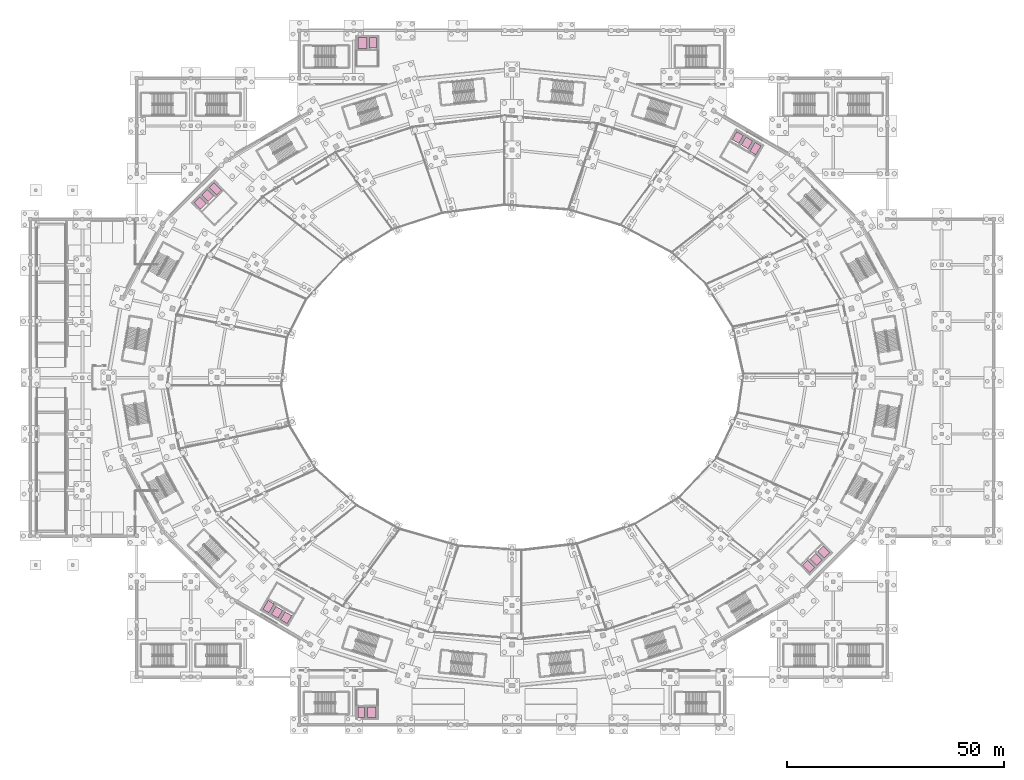
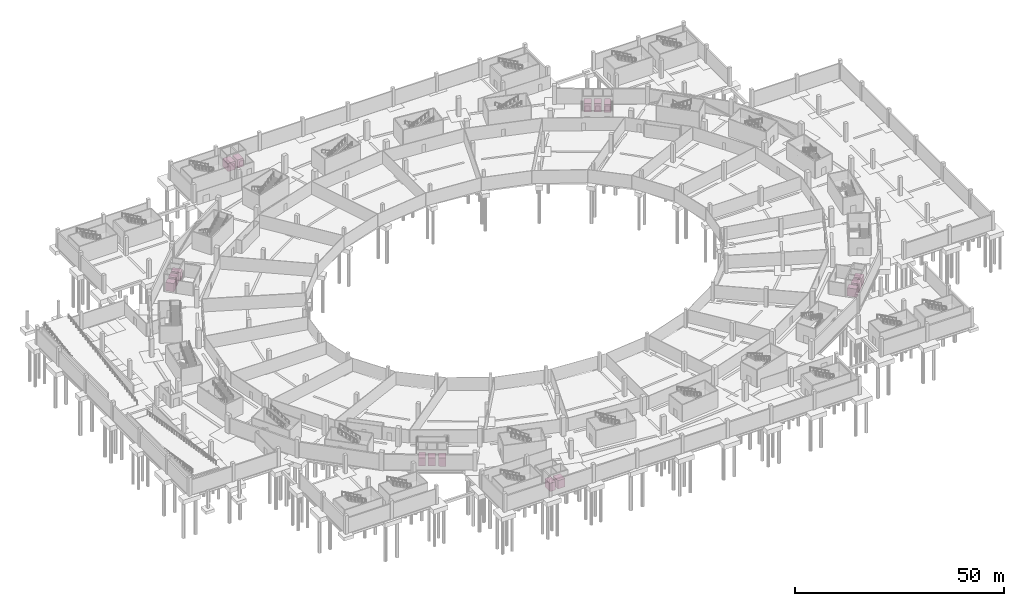
# One storey, part 74 of 74: 16 transport elements.
"""IFC4 building model written with IfcOpenShell, lengths in metres."""

import ifcopenshell
import ifcopenshell.guid

model = None  # the IFC model being written
_history = None  # IfcOwnerHistory: only IFC2X3 demands one
_inside = {}  # id of a spatial element -> (the spatial element, [elements in it])
_under = {}  # id of a project, library or spatial element -> (it, [spatial elements below it])
_declared = {}  # id of a project -> (the project, [libraries it declares])
_typed = {}  # id of a type object -> (the type object, [elements of that type])
_made_of = {}  # id of a material, layer set ... -> (it, [elements and type objects made of it])


def new_model(schema):
    """Start an empty IFC model of exactly this schema.

    Asked for "IFC4X3", IfcOpenShell would pick the latest addendum, in which some entities
    have other attributes; the version numbers below select the first issue.
    IFC2X3 requires an IfcOwnerHistory on every rooted entity: one is made here for all.
    """
    global model, _history
    if schema == "IFC4X3":
        model = ifcopenshell.file(schema_version=(4, 3, 0, 0))
    else:
        model = ifcopenshell.file(schema=schema)
    _inside.clear()
    _under.clear()
    _declared.clear()
    _typed.clear()
    _made_of.clear()
    _history = None
    if model.schema == "IFC2X3":
        org = make("IfcOrganization", Name="unknown")
        user = make(
            "IfcPersonAndOrganization",
            ThePerson=make("IfcPerson", FamilyName="unknown"),
            TheOrganization=org,
        )
        app = make(
            "IfcApplication",
            ApplicationDeveloper=org,
            Version="unknown",
            ApplicationFullName="unknown",
            ApplicationIdentifier="unknown",
        )
        _history = make(
            "IfcOwnerHistory",
            OwningUser=user,
            OwningApplication=app,
            ChangeAction="ADDED",
            CreationDate=0,
        )
    return model


def make(cls, **values):
    """One entity of the class cls with the attributes given. An attribute that is None is left unset."""
    return model.create_entity(
        cls, **{name: value for name, value in values.items() if value is not None}
    )


def rooted(cls, **values):
    """An entity with a GlobalId (a new one), such as an element, a storey or a relation."""
    return make(cls, GlobalId=ifcopenshell.guid.new(), OwnerHistory=_history, **values)


def si_unit(unit_type, name, prefix=None):
    """IfcSIUnit, for example si_unit("LENGTHUNIT", "METRE", prefix="MILLI")."""
    return make("IfcSIUnit", UnitType=unit_type, Prefix=prefix, Name=name)


def assignment(units):
    """IfcUnitAssignment: the units of a project."""
    return None if units is None else make("IfcUnitAssignment", Units=units)


def point(xyz):
    """IfcCartesianPoint."""
    return None if xyz is None else make("IfcCartesianPoint", Coordinates=xyz)


def direction(xyz):
    """IfcDirection."""
    return None if xyz is None else make("IfcDirection", DirectionRatios=xyz)


def frame(location, z_axis=None, x_axis=None):
    """IfcAxis2Placement3D, a coordinate frame: its origin and axes. An axis left out is left unset."""
    return make(
        "IfcAxis2Placement3D",
        Location=point(location),
        Axis=direction(z_axis),
        RefDirection=direction(x_axis),
    )


def frame_2d(location, x_axis=None):
    """IfcAxis2Placement2D, a coordinate frame in the plane: its origin and x axis."""
    return make(
        "IfcAxis2Placement2D", Location=point(location), RefDirection=direction(x_axis)
    )


def origin():
    """The frame at (0, 0, 0) with its axes left unset."""
    return frame((0.0, 0.0, 0.0))


def origin_2d():
    """The frame at (0, 0) in the plane with its x axis left unset."""
    return frame_2d((0.0, 0.0))


def place(relative_to, where):
    """IfcLocalPlacement: puts the frame where relative to a parent placement (None: the world)."""
    return make(
        "IfcLocalPlacement", PlacementRelTo=relative_to, RelativePlacement=where
    )


def context(
    kind, dimensions, precision=None, world=None, true_north=None, identifier=None
):
    """IfcGeometricRepresentationContext, for example the 3D "Model" context."""
    return make(
        "IfcGeometricRepresentationContext",
        ContextIdentifier=identifier,
        ContextType=kind,
        CoordinateSpaceDimension=dimensions,
        Precision=precision,
        WorldCoordinateSystem=world,
        TrueNorth=true_north,
    )


def subcontext(parent, identifier, kind, view, scale=None):
    """IfcGeometricRepresentationSubContext, for example "Body" below "Model"."""
    return make(
        "IfcGeometricRepresentationSubContext",
        ContextIdentifier=identifier,
        ContextType=kind,
        ParentContext=parent,
        TargetScale=scale,
        TargetView=view,
    )


def project(units=None, contexts=None):
    """IfcProject with its units and contexts."""
    return rooted(
        "IfcProject",
        Name="project",
        RepresentationContexts=contexts,
        UnitsInContext=assignment(units),
    )


def spatial(cls, under=None, at=None, **own):
    """A site, building, storey or space (cls), placed at a placement, below another one or the project."""
    s = rooted(cls, ObjectPlacement=at, **own)
    if under is not None:
        _under.setdefault(under.id(), (under, []))[1].append(s)
    return s


def profile(cls, at=None, kind="AREA", **sizes):
    """A parametric profile (cls). Its sizes go by their IFC names, for example OverallWidth=200.0."""
    return make(cls, ProfileType=kind, Position=at, **sizes)


def rectangle(**sizes):
    """IfcRectangleProfileDef."""
    return profile("IfcRectangleProfileDef", **sizes)


def extrude(swept, where, along, depth):
    """IfcExtrudedAreaSolid: the profile swept, set in the frame where, extruded along a direction by depth."""
    return make(
        "IfcExtrudedAreaSolid",
        SweptArea=swept,
        Position=where,
        ExtrudedDirection=direction(along),
        Depth=depth,
    )


def shape(context_of_items, identifier, shape_type, items):
    """IfcShapeRepresentation: the items that make up one representation, for example the "Body"."""
    return make(
        "IfcShapeRepresentation",
        ContextOfItems=context_of_items,
        RepresentationIdentifier=identifier,
        RepresentationType=shape_type,
        Items=items,
    )


def material(Name=None, Category=None):
    """IfcMaterial."""
    return make("IfcMaterial", Name=Name, Category=Category)


def made_of(thing, what):
    """Note that an element or type object is made of a material, layer set ...; save() writes the relation."""
    if what is not None:
        _made_of.setdefault(what.id(), (what, []))[1].append(thing)
    return thing


def type_object(cls, material=None, **own):
    """A type object (cls), such as IfcWallType, which elements share."""
    return made_of(rooted(cls, **own), material)


def element(
    cls,
    number,
    at=None,
    inside=None,
    cuts=None,
    type_object=None,
    material=None,
    context=None,
    identifier="Body",
    shape_type=None,
    held_by="IfcProductDefinitionShape",
    body=None,
    shapes=None,
    **own,
):
    """One element of the class cls, such as IfcWall. Its Tag is "e" and its number.

    at: its placement. inside: the storey or other place that contains it. cuts: it is an
    opening in that element (IfcRelVoidsElement). A single representation is given by context,
    identifier, shape_type and body (its items); several are given by shapes. held_by: the class
    of the entity that holds the representations. save() writes the other relations.
    """
    e = rooted(cls, Tag="e%d" % number, ObjectPlacement=at, **own)
    if body is not None:
        shapes = [shape(context, identifier, shape_type, body)]
    if shapes is not None:
        e.Representation = make(held_by, Representations=shapes)
    if inside is not None:
        _inside.setdefault(inside.id(), (inside, []))[1].append(e)
    if cuts is not None:
        rooted(
            "IfcRelVoidsElement", RelatingBuildingElement=cuts, RelatedOpeningElement=e
        )
    if type_object is not None:
        _typed.setdefault(type_object.id(), (type_object, []))[1].append(e)
    return made_of(e, material)


def aggregate(whole, parts):
    """IfcRelAggregates: a whole, such as a stair, and the parts it consists of."""
    return rooted("IfcRelAggregates", RelatingObject=whole, RelatedObjects=parts)


def save(model, path):
    """Write the relations noted so far, then the file.

    IfcRelAggregates (storeys below a building ...), IfcRelContainedInSpatialStructure (elements
    in a storey), IfcRelDefinesByType, IfcRelAssociatesMaterial and IfcRelDeclares: one each for
    every whole, place, type object, material and project.
    """
    for whole, parts in _under.values():
        aggregate(whole, parts)
    for where, things in _inside.values():
        rooted(
            "IfcRelContainedInSpatialStructure",
            RelatedElements=things,
            RelatingStructure=where,
        )
    for kind, things in _typed.values():
        rooted("IfcRelDefinesByType", RelatedObjects=things, RelatingType=kind)
    for what, things in _made_of.values():
        rooted("IfcRelAssociatesMaterial", RelatedObjects=things, RelatingMaterial=what)
    for by, libraries in _declared.values():
        rooted("IfcRelDeclares", RelatingContext=by, RelatedDefinitions=libraries)
    model.write(path)


model = new_model("IFC4")

# Units and contexts
model_context = context("Model", 3, precision=1e-05, world=origin(), true_north=direction((0.0, 1.0)))
body_context = subcontext(model_context, "Body", "Model", "MODEL_VIEW")
ifc_project = project(units=[si_unit("LENGTHUNIT", "METRE"), si_unit("AREAUNIT", "SQUARE_METRE"), si_unit("VOLUMEUNIT", "CUBIC_METRE"), si_unit("PLANEANGLEUNIT", "RADIAN"), si_unit("MASSUNIT", "GRAM", prefix="KILO")], contexts=[model_context])

# Site, building, storey
site_placement = place(None, origin())
site = spatial("IfcSite", under=ifc_project, at=site_placement, CompositionType="ELEMENT")
building_placement = place(site_placement, origin())
building = spatial("IfcBuilding", under=site, at=building_placement, Name="Zlatoyarsky Gate Stadium", CompositionType="ELEMENT")
storey_placement = place(building_placement, frame((0.0, 0.0, -5.39990234375)))
storey = spatial("IfcBuildingStorey", under=building, at=storey_placement, Name="B1", CompositionType="ELEMENT", Elevation=-5.39990234375)

# Transport elements
ifc_material_1 = material(Name="Heavy-duty stainless steel goods lift car", Category="steel")
transport_element_type_1 = type_object("IfcTransportElementType", Name="BROADCAST AND CATERING GOODS LIFT CAR", PredefinedType="ELEVATOR", material=ifc_material_1)
transport_element_1_placement = place(storey_placement, frame((76.5, 157.10009765625, 0.0), z_axis=(0.0, 0.0, 1.0), x_axis=(-1.0, 0.0, 0.0)))
element("IfcTransportElement", 1, at=transport_element_1_placement, inside=storey, type_object=transport_element_type_1, Name="Goods lift LF-09", PredefinedType="ELEVATOR", context=body_context, shape_type="SweptSolid", body=[
    extrude(rectangle(XDim=2.10009765625, YDim=2.5, at=origin_2d()), origin(), (0.0, 0.0, 1.0), 2.39990234375),
])
ifc_material_2 = material(Name="Fire-rated stainless steel lift car", Category="steel")
transport_element_type_2 = type_object("IfcTransportElementType", Name="FIREFIGHTING AND STRETCHER LIFT CAR", PredefinedType="ELEVATOR", material=ifc_material_2)
for number, where, z_axis, x_axis, name in (
    (2, (167.1181640625, 132.783447265625, 0.0), (0.0, 0.0, 1.0), (-0.86284821159, 0.505463118096, 0.0), "Firefighting lift FL-01"),
    (3, (42.63525390625, 123.488037109375, 0.0), (0.0, 0.0, 1.0), (-0.708901395436, -0.70530760066, 0.0), "Firefighting lift FL-02"),
    (4, (54.8818359375, 27.216552734375, 0.0), (0.0, 0.0, 1.0), (0.86284821159, -0.505463118096, 0.0), "Firefighting lift FL-03"),
    (5, (179.36474609375, 36.511962890625, 0.0), (0.0, 0.0, 1.0), (0.708901395436, 0.70530760066, 0.0), "Firefighting lift FL-04"),
    (6, (79.0, 157.14990234375, 0.0), (0.0, 0.0, 1.0), (-1.0, 0.0, 0.0), "Firefighting lift FL-05"),
    (7, (76.25, 2.85009765625, 0.0), (0.0, 0.0, 1.0), (1.0, 0.0, 0.0), "Firefighting lift FL-06"),
):
    element("IfcTransportElement", number, at=place(storey_placement, frame(where, z_axis=z_axis, x_axis=x_axis)), inside=storey, type_object=transport_element_type_2, Name=name, PredefinedType="ELEVATOR", context=body_context, shape_type="SweptSolid", body=[
        extrude(rectangle(XDim=1.60009765625, YDim=2.39990234375, at=origin_2d()), origin(), (0.0, 0.0, 1.0), 2.39990234375),
    ])
transport_element_type_3 = type_object("IfcTransportElementType", Name="HOSPITALITY AND SERVICE GOODS LIFT CAR", PredefinedType="ELEVATOR", material=ifc_material_1)
transport_element_2_placement = place(storey_placement, frame((78.699951171875, 2.85009765625, 0.0), z_axis=(0.0, 0.0, 1.0), x_axis=(1.0, 0.0, 0.0)))
element("IfcTransportElement", 8, at=transport_element_2_placement, inside=storey, type_object=transport_element_type_3, Name="Goods lift LF-10", PredefinedType="ELEVATOR", context=body_context, shape_type="SweptSolid", body=[
    extrude(rectangle(XDim=2.0, YDim=2.39990234375, at=origin_2d()), origin(), (0.0, 0.0, 1.0), 2.39990234375),
])
ifc_material_3 = material(Name="Brushed stainless steel lift car", Category="steel")
transport_element_type_4 = type_object("IfcTransportElementType", Name="PASSENGER AND HOSPITALITY LIFT CAR", PredefinedType="ELEVATOR", material=ifc_material_3)
for number, where, z_axis, x_axis, name in (
    (9, (165.16650390625, 134.100830078125, 0.0), (0.0, 0.0, 1.0), (-0.86284821159, 0.505463118096, 0.0), "Passenger lift LF-01"),
    (10, (163.052490234375, 135.339111328125, 0.0), (0.0, 0.0, 1.0), (-0.86284821159, 0.505463118096, 0.0), "Passenger lift LF-02"),
    (11, (40.863525390625, 121.93701171875, 0.0), (0.0, 0.0, 1.0), (-0.708901395436, -0.70530760066, 0.0), "Passenger lift LF-03"),
    (12, (39.126708984375, 120.208984375, 0.0), (0.0, 0.0, 1.0), (-0.708901395436, -0.70530760066, 0.0), "Passenger lift LF-04"),
    (13, (56.83349609375, 25.899169921875, 0.0), (0.0, 0.0, 1.0), (0.86284821159, -0.505463118096, 0.0), "Passenger lift LF-05"),
    (14, (58.947509765625, 24.660888671875, 0.0), (0.0, 0.0, 1.0), (0.86284821159, -0.505463118096, 0.0), "Passenger lift LF-06"),
    (15, (181.136474609375, 38.06298828125, 0.0), (0.0, 0.0, 1.0), (0.708901395436, 0.70530760066, 0.0), "Passenger lift LF-07"),
    (16, (182.873291015625, 39.791015625, 0.0), (0.0, 0.0, 1.0), (0.708901395436, 0.70530760066, 0.0), "Passenger lift LF-08"),
):
    element("IfcTransportElement", number, at=place(storey_placement, frame(where, z_axis=z_axis, x_axis=x_axis)), inside=storey, type_object=transport_element_type_4, Name=name, PredefinedType="ELEVATOR", context=body_context, shape_type="SweptSolid", body=[
        extrude(rectangle(XDim=1.800048828125, YDim=2.10009765625, at=origin_2d()), origin(), (0.0, 0.0, 1.0), 2.39990234375),
    ])

save(model, "model.ifc")
